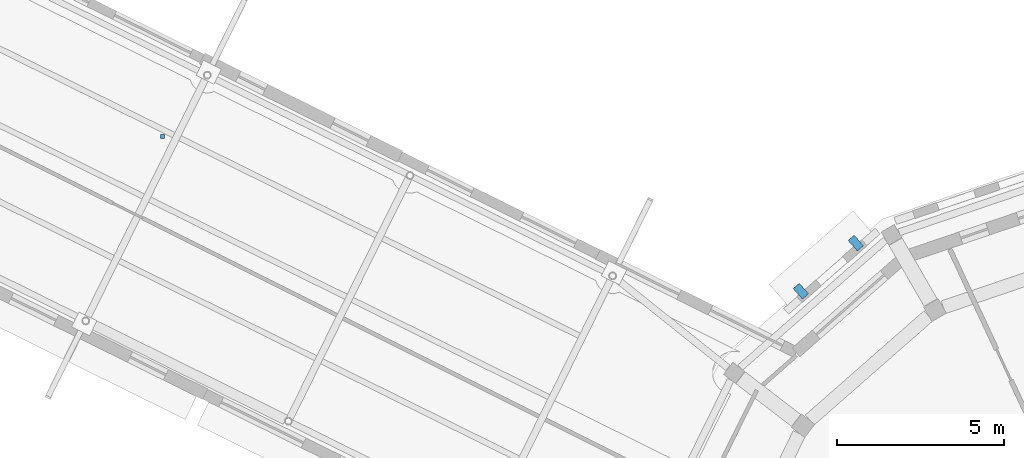
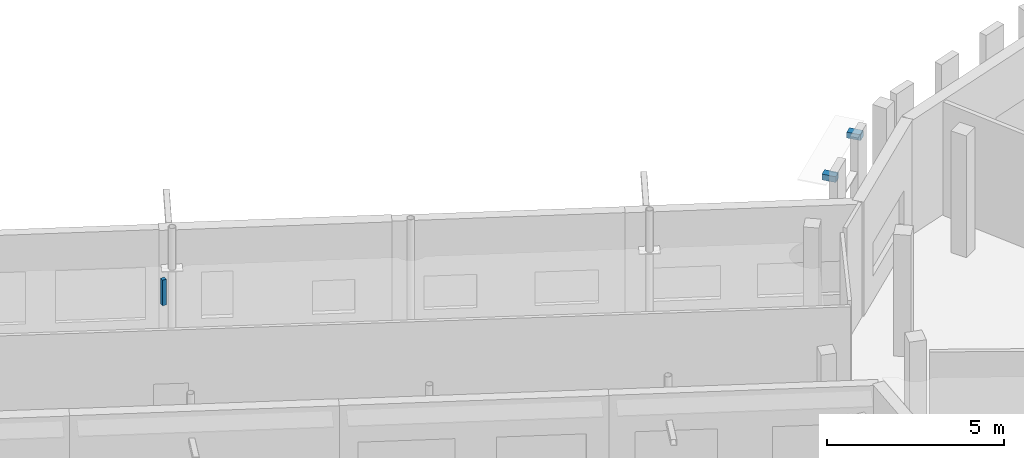
# One storey, part 63 of 68: 3 discrete accessories.
"""IFC4 building model written with IfcOpenShell, lengths in metres."""

from ifc_helpers import new_model, si_unit, direction, frame, origin, origin_2d, place, context, subcontext, project, spatial, rectangle, extrude, material, type_object, element, save


model = new_model("IFC4")

# Units and contexts
model_context = context("Model", 3, precision=1e-05, world=origin(), true_north=direction((0.0, 1.0)))
body_context = subcontext(model_context, "Body", "Model", "MODEL_VIEW")
ifc_project = project(units=[si_unit("LENGTHUNIT", "METRE"), si_unit("AREAUNIT", "SQUARE_METRE"), si_unit("VOLUMEUNIT", "CUBIC_METRE"), si_unit("PLANEANGLEUNIT", "RADIAN"), si_unit("MASSUNIT", "GRAM", prefix="KILO")], contexts=[model_context])

# Site, building, storey
site_placement = place(None, origin())
site = spatial("IfcSite", under=ifc_project, at=site_placement, CompositionType="ELEMENT")
building_placement = place(site_placement, origin())
building = spatial("IfcBuilding", under=site, at=building_placement, Name="Wrenclough Park School", CompositionType="ELEMENT")
storey_placement = place(building_placement, frame((0.0, 0.0, 12.60009765625)))
storey = spatial("IfcBuildingStorey", under=building, at=storey_placement, Name="L03", CompositionType="ELEMENT", Elevation=12.60009765625)

# Discrete accessories
ifc_material_1 = material(Name="Austenitic stainless steel Grade 1.4401", Category="steel")
discrete_accessory_type_1 = type_object("IfcDiscreteAccessoryType", Name="ENV-BRK-01", PredefinedType="BRACKET", material=ifc_material_1)
for number, where, z_axis, x_axis, name in (
    (1, (165.405029296875, 107.152099609375, 3.5400390625), (0.0, 0.0, 1.0), (-0.751840843142, -0.659344634151, 0.0), "Brise-soleil stainless outrigger bracket 0223"),
    (2, (163.763427734375, 105.712646484375, 3.5400390625), (0.0, 0.0, 1.0), (-0.751840843142, -0.659344634151, 0.0), "Brise-soleil stainless outrigger bracket 0224"),
):
    element("IfcDiscreteAccessory", number, at=place(storey_placement, frame(where, z_axis=z_axis, x_axis=x_axis)), inside=storey, type_object=discrete_accessory_type_1, Name=name, PredefinedType="BRACKET", context=body_context, shape_type="SweptSolid", body=[
        extrude(rectangle(XDim=0.239990234375, YDim=0.419921875, at=origin_2d()), origin(), (0.0, 0.0, 1.0), 0.199951171875),
    ])
ifc_material_2 = material(Name="Galvanised steel acoustic ceiling suspension hanger", Category="steel")
discrete_accessory_type_2 = type_object("IfcDiscreteAccessoryType", Name="INT-BRK-HGR", PredefinedType="BRACKET", material=ifc_material_2)
discrete_accessory_placement = place(storey_placement, frame((144.6689453125, 110.342529296875, 3.08984375), z_axis=(0.0, 0.0, 1.0), x_axis=(1.0, 0.0, 0.0)))
element("IfcDiscreteAccessory", 3, at=discrete_accessory_placement, inside=storey, type_object=discrete_accessory_type_2, Name="Acoustic ceiling hanger bracket 0081", PredefinedType="BRACKET", context=body_context, shape_type="SweptSolid", body=[
    extrude(rectangle(XDim=0.1201171875, YDim=0.1201171875, at=origin_2d()), origin(), (0.0, 0.0, 1.0), 0.885009765625),
])

save(model, "model.ifc")
